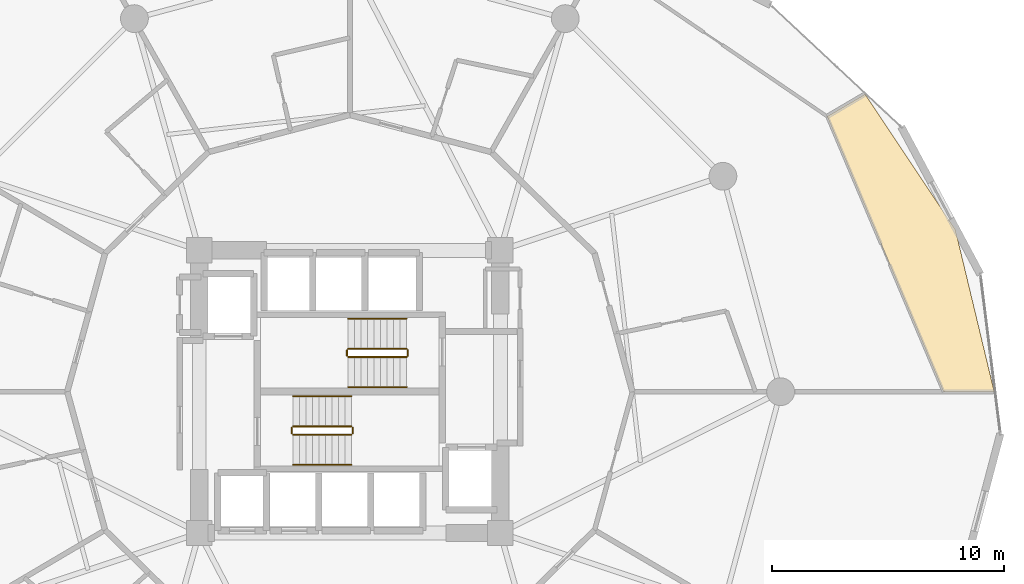
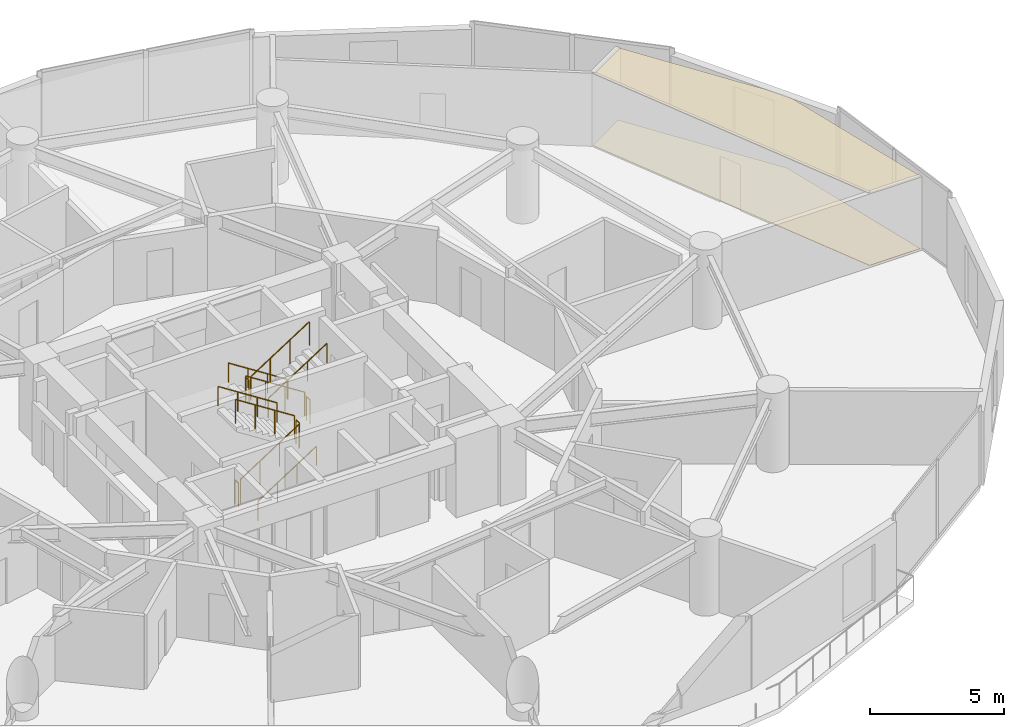
# One storey, part 25 of 26: 12 railings, 2 coverings.
"""IFC4 building model written with IfcOpenShell, lengths in metres."""

import ifcopenshell
import ifcopenshell.guid

model = None  # the IFC model being written
_history = None  # IfcOwnerHistory: only IFC2X3 demands one
_inside = {}  # id of a spatial element -> (the spatial element, [elements in it])
_under = {}  # id of a project, library or spatial element -> (it, [spatial elements below it])
_declared = {}  # id of a project -> (the project, [libraries it declares])
_typed = {}  # id of a type object -> (the type object, [elements of that type])
_made_of = {}  # id of a material, layer set ... -> (it, [elements and type objects made of it])


def new_model(schema):
    """Start an empty IFC model of exactly this schema.

    Asked for "IFC4X3", IfcOpenShell would pick the latest addendum, in which some entities
    have other attributes; the version numbers below select the first issue.
    IFC2X3 requires an IfcOwnerHistory on every rooted entity: one is made here for all.
    """
    global model, _history
    if schema == "IFC4X3":
        model = ifcopenshell.file(schema_version=(4, 3, 0, 0))
    else:
        model = ifcopenshell.file(schema=schema)
    _inside.clear()
    _under.clear()
    _declared.clear()
    _typed.clear()
    _made_of.clear()
    _history = None
    if model.schema == "IFC2X3":
        org = make("IfcOrganization", Name="unknown")
        user = make(
            "IfcPersonAndOrganization",
            ThePerson=make("IfcPerson", FamilyName="unknown"),
            TheOrganization=org,
        )
        app = make(
            "IfcApplication",
            ApplicationDeveloper=org,
            Version="unknown",
            ApplicationFullName="unknown",
            ApplicationIdentifier="unknown",
        )
        _history = make(
            "IfcOwnerHistory",
            OwningUser=user,
            OwningApplication=app,
            ChangeAction="ADDED",
            CreationDate=0,
        )
    return model


def make(cls, **values):
    """One entity of the class cls with the attributes given. An attribute that is None is left unset."""
    return model.create_entity(
        cls, **{name: value for name, value in values.items() if value is not None}
    )


def rooted(cls, **values):
    """An entity with a GlobalId (a new one), such as an element, a storey or a relation."""
    return make(cls, GlobalId=ifcopenshell.guid.new(), OwnerHistory=_history, **values)


def si_unit(unit_type, name, prefix=None):
    """IfcSIUnit, for example si_unit("LENGTHUNIT", "METRE", prefix="MILLI")."""
    return make("IfcSIUnit", UnitType=unit_type, Prefix=prefix, Name=name)


def assignment(units):
    """IfcUnitAssignment: the units of a project."""
    return None if units is None else make("IfcUnitAssignment", Units=units)


def point(xyz):
    """IfcCartesianPoint."""
    return None if xyz is None else make("IfcCartesianPoint", Coordinates=xyz)


def direction(xyz):
    """IfcDirection."""
    return None if xyz is None else make("IfcDirection", DirectionRatios=xyz)


def frame(location, z_axis=None, x_axis=None):
    """IfcAxis2Placement3D, a coordinate frame: its origin and axes. An axis left out is left unset."""
    return make(
        "IfcAxis2Placement3D",
        Location=point(location),
        Axis=direction(z_axis),
        RefDirection=direction(x_axis),
    )


def frame_2d(location, x_axis=None):
    """IfcAxis2Placement2D, a coordinate frame in the plane: its origin and x axis."""
    return make(
        "IfcAxis2Placement2D", Location=point(location), RefDirection=direction(x_axis)
    )


def origin():
    """The frame at (0, 0, 0) with its axes left unset."""
    return frame((0.0, 0.0, 0.0))


def origin_2d():
    """The frame at (0, 0) in the plane with its x axis left unset."""
    return frame_2d((0.0, 0.0))


def place(relative_to, where):
    """IfcLocalPlacement: puts the frame where relative to a parent placement (None: the world)."""
    return make(
        "IfcLocalPlacement", PlacementRelTo=relative_to, RelativePlacement=where
    )


def context(
    kind, dimensions, precision=None, world=None, true_north=None, identifier=None
):
    """IfcGeometricRepresentationContext, for example the 3D "Model" context."""
    return make(
        "IfcGeometricRepresentationContext",
        ContextIdentifier=identifier,
        ContextType=kind,
        CoordinateSpaceDimension=dimensions,
        Precision=precision,
        WorldCoordinateSystem=world,
        TrueNorth=true_north,
    )


def subcontext(parent, identifier, kind, view, scale=None):
    """IfcGeometricRepresentationSubContext, for example "Body" below "Model"."""
    return make(
        "IfcGeometricRepresentationSubContext",
        ContextIdentifier=identifier,
        ContextType=kind,
        ParentContext=parent,
        TargetScale=scale,
        TargetView=view,
    )


def project(units=None, contexts=None):
    """IfcProject with its units and contexts."""
    return rooted(
        "IfcProject",
        Name="project",
        RepresentationContexts=contexts,
        UnitsInContext=assignment(units),
    )


def spatial(cls, under=None, at=None, **own):
    """A site, building, storey or space (cls), placed at a placement, below another one or the project."""
    s = rooted(cls, ObjectPlacement=at, **own)
    if under is not None:
        _under.setdefault(under.id(), (under, []))[1].append(s)
    return s


def polyline(points):
    """IfcPolyline through the points."""
    return make("IfcPolyline", Points=[point(p) for p in points])


def profile(cls, at=None, kind="AREA", **sizes):
    """A parametric profile (cls). Its sizes go by their IFC names, for example OverallWidth=200.0."""
    return make(cls, ProfileType=kind, Position=at, **sizes)


def circle(**sizes):
    """IfcCircleProfileDef."""
    return profile("IfcCircleProfileDef", **sizes)


def outline(outer, holes=None, kind="AREA"):
    """IfcArbitraryClosedProfileDef: a profile drawn as a closed curve; with holes, ...WithVoids."""
    if holes is None:
        return make("IfcArbitraryClosedProfileDef", ProfileType=kind, OuterCurve=outer)
    return make(
        "IfcArbitraryProfileDefWithVoids",
        ProfileType=kind,
        OuterCurve=outer,
        InnerCurves=holes,
    )


def extrude(swept, where, along, depth):
    """IfcExtrudedAreaSolid: the profile swept, set in the frame where, extruded along a direction by depth."""
    return make(
        "IfcExtrudedAreaSolid",
        SweptArea=swept,
        Position=where,
        ExtrudedDirection=direction(along),
        Depth=depth,
    )


def shape(context_of_items, identifier, shape_type, items):
    """IfcShapeRepresentation: the items that make up one representation, for example the "Body"."""
    return make(
        "IfcShapeRepresentation",
        ContextOfItems=context_of_items,
        RepresentationIdentifier=identifier,
        RepresentationType=shape_type,
        Items=items,
    )


def material(Name=None, Category=None):
    """IfcMaterial."""
    return make("IfcMaterial", Name=Name, Category=Category)


def layer(
    of_material, thickness, ventilated=None, Name=None, Category=None, Priority=None
):
    """IfcMaterialLayer: one layer of a wall or slab, of a material (None: an air gap)."""
    return make(
        "IfcMaterialLayer",
        Material=of_material,
        LayerThickness=thickness,
        IsVentilated=ventilated,
        Name=Name,
        Category=Category,
        Priority=Priority,
    )


def layer_set(layers, Name=None):
    """IfcMaterialLayerSet."""
    return make("IfcMaterialLayerSet", MaterialLayers=layers, LayerSetName=Name)


def made_of(thing, what):
    """Note that an element or type object is made of a material, layer set ...; save() writes the relation."""
    if what is not None:
        _made_of.setdefault(what.id(), (what, []))[1].append(thing)
    return thing


def type_object(cls, material=None, **own):
    """A type object (cls), such as IfcWallType, which elements share."""
    return made_of(rooted(cls, **own), material)


def element(
    cls,
    number,
    at=None,
    inside=None,
    cuts=None,
    type_object=None,
    material=None,
    context=None,
    identifier="Body",
    shape_type=None,
    held_by="IfcProductDefinitionShape",
    body=None,
    shapes=None,
    **own,
):
    """One element of the class cls, such as IfcWall. Its Tag is "e" and its number.

    at: its placement. inside: the storey or other place that contains it. cuts: it is an
    opening in that element (IfcRelVoidsElement). A single representation is given by context,
    identifier, shape_type and body (its items); several are given by shapes. held_by: the class
    of the entity that holds the representations. save() writes the other relations.
    """
    e = rooted(cls, Tag="e%d" % number, ObjectPlacement=at, **own)
    if body is not None:
        shapes = [shape(context, identifier, shape_type, body)]
    if shapes is not None:
        e.Representation = make(held_by, Representations=shapes)
    if inside is not None:
        _inside.setdefault(inside.id(), (inside, []))[1].append(e)
    if cuts is not None:
        rooted(
            "IfcRelVoidsElement", RelatingBuildingElement=cuts, RelatedOpeningElement=e
        )
    if type_object is not None:
        _typed.setdefault(type_object.id(), (type_object, []))[1].append(e)
    return made_of(e, material)


def aggregate(whole, parts):
    """IfcRelAggregates: a whole, such as a stair, and the parts it consists of."""
    return rooted("IfcRelAggregates", RelatingObject=whole, RelatedObjects=parts)


def save(model, path):
    """Write the relations noted so far, then the file.

    IfcRelAggregates (storeys below a building ...), IfcRelContainedInSpatialStructure (elements
    in a storey), IfcRelDefinesByType, IfcRelAssociatesMaterial and IfcRelDeclares: one each for
    every whole, place, type object, material and project.
    """
    for whole, parts in _under.values():
        aggregate(whole, parts)
    for where, things in _inside.values():
        rooted(
            "IfcRelContainedInSpatialStructure",
            RelatedElements=things,
            RelatingStructure=where,
        )
    for kind, things in _typed.values():
        rooted("IfcRelDefinesByType", RelatedObjects=things, RelatingType=kind)
    for what, things in _made_of.values():
        rooted("IfcRelAssociatesMaterial", RelatedObjects=things, RelatingMaterial=what)
    for by, libraries in _declared.values():
        rooted("IfcRelDeclares", RelatingContext=by, RelatedDefinitions=libraries)
    model.write(path)


model = new_model("IFC4")

# Units and contexts
model_context = context("Model", 3, precision=1e-05, world=origin(), true_north=direction((0.0, 1.0)))
body_context = subcontext(model_context, "Body", "Model", "MODEL_VIEW")
ifc_project = project(units=[si_unit("LENGTHUNIT", "METRE"), si_unit("AREAUNIT", "SQUARE_METRE"), si_unit("VOLUMEUNIT", "CUBIC_METRE"), si_unit("PLANEANGLEUNIT", "RADIAN"), si_unit("MASSUNIT", "GRAM", prefix="KILO")], contexts=[model_context])

# Site, building, storey
site_placement = place(None, origin())
site = spatial("IfcSite", under=ifc_project, at=site_placement, CompositionType="ELEMENT")
building_placement = place(site_placement, origin())
building = spatial("IfcBuilding", under=site, at=building_placement, Name="Solvirekh Grand Hotel", CompositionType="ELEMENT")
storey_placement = place(building_placement, frame((0.0, 0.0, 32.0)))
storey = spatial("IfcBuildingStorey", under=building, at=storey_placement, Name="L06", CompositionType="ELEMENT", Elevation=32.0)

# Coverings
ifc_material_1 = material(Name="Acoustic Mineral Ceiling Tile")
ifc_layer_1 = layer(ifc_material_1, 0.02490234375)
ifc_layer_set_1 = layer_set([ifc_layer_1], Name="Acoustic Mineral Ceiling Tile")
covering_type_1 = type_object("IfcCoveringType", Name="Cov_Ceiling_Acoustic", PredefinedType="CEILING", material=ifc_layer_set_1)
covering_1_placement = place(storey_placement, frame((0.0, 0.0, 3.2900390625)))
element("IfcCovering", 1, at=covering_1_placement, inside=storey, type_object=covering_type_1, Name="L06 Executive Suite 0801 Master Bedroom acoustic ceiling", PredefinedType="CEILING", context=body_context, shape_type="SweptSolid", body=[
    extrude(outline(polyline([(27.822021484375, 0.0), (26.14208984375, 7.0048828125), (22.248046875, 12.844970703125), (20.613037109375, 11.883056640625), (25.635009765625, 0.0), (27.822021484375, 0.0)])), origin(), (0.0, 0.0, 1.0), 0.01806640625),
])
ifc_material_2 = material(Name="Porcelain Stoneware Flooring", Category="masonry")
ifc_layer_2 = layer(ifc_material_2, 0.030029296875)
ifc_layer_set_2 = layer_set([ifc_layer_2], Name="Porcelain Stoneware Flooring")
covering_type_2 = type_object("IfcCoveringType", Name="Cov_Floor_Stone", PredefinedType="FLOORING", material=ifc_layer_set_2)
covering_2_placement = place(storey_placement, origin())
element("IfcCovering", 2, at=covering_2_placement, inside=storey, type_object=covering_type_2, Name="L06 Executive Suite 0801 Master Bedroom polished granite flooring", PredefinedType="FLOORING", context=body_context, shape_type="SweptSolid", body=[
    extrude(outline(polyline([(27.822021484375, 0.0), (26.14208984375, 7.0048828125), (22.248046875, 12.844970703125), (20.613037109375, 11.883056640625), (25.635009765625, 0.0), (27.822021484375, 0.0)])), origin(), (0.0, 0.0, 1.0), 0.02001953125),
])

# Railings
ifc_material_3 = material(Name="Steel S355", Category="steel")
railing_type_1 = type_object("IfcRailingType", Name="Guard_Stair_1100", PredefinedType="GUARDRAIL", material=ifc_material_3)
railing_1_placement = place(storey_placement, frame((-2.449951171875, -1.85009765625, 0.179931640625)))
element("IfcRailing", 3, at=railing_1_placement, inside=storey, type_object=railing_type_1, Name="L06 ST-1 stair guard 1", PredefinedType="GUARDRAIL", context=body_context, shape_type="SweptSolid", body=[
    extrude(circle(Radius=0.02392578125, at=origin_2d()), frame((0.0, 0.0, 1.076171875), z_axis=(0.841162588446, 0.0, 0.540782303519), x_axis=(0.0, 1.0, 0.0)), (0.0, 0.0, 1.0), 2.995849609375),
    extrude(circle(Radius=0.02099609375, at=origin_2d()), origin(), (0.0, 0.0, 1.0), 1.052001953125),
    extrude(circle(Radius=0.02099609375, at=origin_2d()), frame((0.840087890625, 0.0, 0.5400390625)), (0.0, 0.0, 1.0), 1.052001953125),
    extrude(circle(Radius=0.02099609375, at=origin_2d()), frame((1.679931640625, 0.0, 1.080078125)), (0.0, 0.0, 1.0), 1.052001953125),
    extrude(circle(Radius=0.02099609375, at=origin_2d()), frame((2.52001953125, 0.0, 1.6201171875)), (0.0, 0.0, 1.0), 1.052001953125),
])
railing_2_placement = place(storey_placement, frame((0.1201171875, -1.800048828125, 1.800048828125)))
element("IfcRailing", 4, at=railing_2_placement, inside=storey, type_object=railing_type_1, Name="L06 ST-1 stair guard 2", PredefinedType="GUARDRAIL", context=body_context, shape_type="SweptSolid", body=[
    extrude(circle(Radius=0.02392578125, at=origin_2d()), frame((0.0, 0.0, 1.076171875), z_axis=(0.0, 1.0, 0.0), x_axis=(-1.0, 0.0, 0.0)), (0.0, 0.0, 1.0), 0.25),
    extrude(circle(Radius=0.02099609375, at=origin_2d()), origin(), (0.0, 0.0, 1.0), 1.052001953125),
    extrude(circle(Radius=0.02099609375, at=origin_2d()), frame((0.0, 0.25, 0.0)), (0.0, 0.0, 1.0), 1.052001953125),
])
railing_3_placement = place(storey_placement, frame((0.070068359375, -1.5, 1.97998046875)))
element("IfcRailing", 5, at=railing_3_placement, inside=storey, type_object=railing_type_1, Name="L06 ST-1 stair guard 3", PredefinedType="GUARDRAIL", context=body_context, shape_type="SweptSolid", body=[
    extrude(circle(Radius=0.02392578125, at=origin_2d()), frame((0.0, 0.0, 1.076171875), z_axis=(-0.841162588446, 0.0, 0.540782303519), x_axis=(0.0, -1.0, 0.0)), (0.0, 0.0, 1.0), 2.995849609375),
    extrude(circle(Radius=0.02099609375, at=origin_2d()), origin(), (0.0, 0.0, 1.0), 1.052001953125),
    extrude(circle(Radius=0.02099609375, at=origin_2d()), frame((-0.840087890625, 0.0, 0.5400390625)), (0.0, 0.0, 1.0), 1.052001953125),
    extrude(circle(Radius=0.02099609375, at=origin_2d()), frame((-1.679931640625, 0.0, 1.080078125)), (0.0, 0.0, 1.0), 1.052001953125),
    extrude(circle(Radius=0.02099609375, at=origin_2d()), frame((-2.52001953125, 0.0, 1.6201171875)), (0.0, 0.0, 1.0), 1.052001953125),
])
railing_4_placement = place(storey_placement, frame((-2.5, -1.800048828125, 0.0)))
element("IfcRailing", 6, at=railing_4_placement, inside=storey, type_object=railing_type_1, Name="L06 ST-1 stair guard 4", PredefinedType="GUARDRAIL", context=body_context, shape_type="SweptSolid", body=[
    extrude(circle(Radius=0.02392578125, at=origin_2d()), frame((0.0, 0.0, 1.076171875), z_axis=(0.0, 1.0, 0.0), x_axis=(-1.0, 0.0, 0.0)), (0.0, 0.0, 1.0), 0.25),
    extrude(circle(Radius=0.02099609375, at=origin_2d()), origin(), (0.0, 0.0, 1.0), 1.052001953125),
    extrude(circle(Radius=0.02099609375, at=origin_2d()), frame((0.0, 0.25, 0.0)), (0.0, 0.0, 1.0), 1.052001953125),
])
railing_5_placement = place(storey_placement, frame((2.449951171875, 1.85009765625, 0.179931640625)))
element("IfcRailing", 7, at=railing_5_placement, inside=storey, type_object=railing_type_1, Name="L06 ST-2 stair guard 1", PredefinedType="GUARDRAIL", context=body_context, shape_type="SweptSolid", body=[
    extrude(circle(Radius=0.02392578125, at=origin_2d()), frame((0.0, 0.0, 1.076171875), z_axis=(-0.841162588446, 0.0, 0.540782303519), x_axis=(0.0, -1.0, 0.0)), (0.0, 0.0, 1.0), 2.995849609375),
    extrude(circle(Radius=0.02099609375, at=origin_2d()), origin(), (0.0, 0.0, 1.0), 1.052001953125),
    extrude(circle(Radius=0.02099609375, at=origin_2d()), frame((-0.840087890625, 0.0, 0.5400390625)), (0.0, 0.0, 1.0), 1.052001953125),
    extrude(circle(Radius=0.02099609375, at=origin_2d()), frame((-1.679931640625, 0.0, 1.080078125)), (0.0, 0.0, 1.0), 1.052001953125),
    extrude(circle(Radius=0.02099609375, at=origin_2d()), frame((-2.52001953125, 0.0, 1.6201171875)), (0.0, 0.0, 1.0), 1.052001953125),
])
railing_6_placement = place(storey_placement, frame((-0.1201171875, 1.800048828125, 1.800048828125)))
element("IfcRailing", 8, at=railing_6_placement, inside=storey, type_object=railing_type_1, Name="L06 ST-2 stair guard 2", PredefinedType="GUARDRAIL", context=body_context, shape_type="SweptSolid", body=[
    extrude(circle(Radius=0.02392578125, at=origin_2d()), frame((0.0, 0.0, 1.076171875), z_axis=(0.0, -1.0, 0.0), x_axis=(1.0, 0.0, 0.0)), (0.0, 0.0, 1.0), 0.25),
    extrude(circle(Radius=0.02099609375, at=origin_2d()), origin(), (0.0, 0.0, 1.0), 1.052001953125),
    extrude(circle(Radius=0.02099609375, at=origin_2d()), frame((0.0, -0.25, 0.0)), (0.0, 0.0, 1.0), 1.052001953125),
])
railing_7_placement = place(storey_placement, frame((-0.070068359375, 1.5, 1.97998046875)))
element("IfcRailing", 9, at=railing_7_placement, inside=storey, type_object=railing_type_1, Name="L06 ST-2 stair guard 3", PredefinedType="GUARDRAIL", context=body_context, shape_type="SweptSolid", body=[
    extrude(circle(Radius=0.02392578125, at=origin_2d()), frame((0.0, 0.0, 1.076171875), z_axis=(0.841162588446, 0.0, 0.540782303519), x_axis=(0.0, 1.0, 0.0)), (0.0, 0.0, 1.0), 2.995849609375),
    extrude(circle(Radius=0.02099609375, at=origin_2d()), origin(), (0.0, 0.0, 1.0), 1.052001953125),
    extrude(circle(Radius=0.02099609375, at=origin_2d()), frame((0.840087890625, 0.0, 0.5400390625)), (0.0, 0.0, 1.0), 1.052001953125),
    extrude(circle(Radius=0.02099609375, at=origin_2d()), frame((1.679931640625, 0.0, 1.080078125)), (0.0, 0.0, 1.0), 1.052001953125),
    extrude(circle(Radius=0.02099609375, at=origin_2d()), frame((2.52001953125, 0.0, 1.6201171875)), (0.0, 0.0, 1.0), 1.052001953125),
])
railing_8_placement = place(storey_placement, frame((2.5, 1.800048828125, 0.0)))
element("IfcRailing", 10, at=railing_8_placement, inside=storey, type_object=railing_type_1, Name="L06 ST-2 stair guard 4", PredefinedType="GUARDRAIL", context=body_context, shape_type="SweptSolid", body=[
    extrude(circle(Radius=0.02392578125, at=origin_2d()), frame((0.0, 0.0, 1.076171875), z_axis=(0.0, -1.0, 0.0), x_axis=(1.0, 0.0, 0.0)), (0.0, 0.0, 1.0), 0.25),
    extrude(circle(Radius=0.02099609375, at=origin_2d()), origin(), (0.0, 0.0, 1.0), 1.052001953125),
    extrude(circle(Radius=0.02099609375, at=origin_2d()), frame((0.0, -0.25, 0.0)), (0.0, 0.0, 1.0), 1.052001953125),
])
ifc_material_4 = material(Name="Anodized Bronze Aluminium 6063-T6", Category="aluminium")
railing_type_2 = type_object("IfcRailingType", Name="Handrail_Wall_900", PredefinedType="HANDRAIL", material=ifc_material_4)
railing_9_placement = place(storey_placement, frame((-2.449951171875, -3.14990234375, 0.179931640625)))
element("IfcRailing", 11, at=railing_9_placement, inside=storey, type_object=railing_type_2, Name="L06 ST-1 stair handrail 1", PredefinedType="HANDRAIL", context=body_context, shape_type="SweptSolid", body=[
    extrude(circle(Radius=0.02392578125, at=origin_2d()), frame((0.0, 0.0, 0.8759765625), z_axis=(0.841162588446, 0.0, 0.540782303519), x_axis=(0.0, 1.0, 0.0)), (0.0, 0.0, 1.0), 2.995849609375),
    extrude(circle(Radius=0.02099609375, at=origin_2d()), origin(), (0.0, 0.0, 1.0), 0.851806640625),
    extrude(circle(Radius=0.02099609375, at=origin_2d()), frame((0.840087890625, 0.0, 0.5400390625)), (0.0, 0.0, 1.0), 0.851806640625),
    extrude(circle(Radius=0.02099609375, at=origin_2d()), frame((1.679931640625, 0.0, 1.080078125)), (0.0, 0.0, 1.0), 0.851806640625),
    extrude(circle(Radius=0.02099609375, at=origin_2d()), frame((2.52001953125, 0.0, 1.6201171875)), (0.0, 0.0, 1.0), 0.851806640625),
])
for number, where, name in (
    (12, (0.070068359375, -0.199951171875, 1.97998046875), "L06 ST-1 stair handrail 2"),
    (13, (2.449951171875, 3.14990234375, 0.179931640625), "L06 ST-2 stair handrail 1"),
):
    element("IfcRailing", number, at=place(storey_placement, frame(where)), inside=storey, type_object=railing_type_2, Name=name, PredefinedType="HANDRAIL", context=body_context, shape_type="SweptSolid", body=[
        extrude(circle(Radius=0.02392578125, at=origin_2d()), frame((0.0, 0.0, 0.8759765625), z_axis=(-0.841162588446, 0.0, 0.540782303519), x_axis=(0.0, -1.0, 0.0)), (0.0, 0.0, 1.0), 2.995849609375),
        extrude(circle(Radius=0.02099609375, at=origin_2d()), origin(), (0.0, 0.0, 1.0), 0.851806640625),
        extrude(circle(Radius=0.02099609375, at=origin_2d()), frame((-0.840087890625, 0.0, 0.5400390625)), (0.0, 0.0, 1.0), 0.851806640625),
        extrude(circle(Radius=0.02099609375, at=origin_2d()), frame((-1.679931640625, 0.0, 1.080078125)), (0.0, 0.0, 1.0), 0.851806640625),
        extrude(circle(Radius=0.02099609375, at=origin_2d()), frame((-2.52001953125, 0.0, 1.6201171875)), (0.0, 0.0, 1.0), 0.851806640625),
    ])
railing_10_placement = place(storey_placement, frame((-0.070068359375, 0.199951171875, 1.97998046875)))
element("IfcRailing", 14, at=railing_10_placement, inside=storey, type_object=railing_type_2, Name="L06 ST-2 stair handrail 2", PredefinedType="HANDRAIL", context=body_context, shape_type="SweptSolid", body=[
    extrude(circle(Radius=0.02392578125, at=origin_2d()), frame((0.0, 0.0, 0.8759765625), z_axis=(0.841162588446, 0.0, 0.540782303519), x_axis=(0.0, 1.0, 0.0)), (0.0, 0.0, 1.0), 2.995849609375),
    extrude(circle(Radius=0.02099609375, at=origin_2d()), origin(), (0.0, 0.0, 1.0), 0.851806640625),
    extrude(circle(Radius=0.02099609375, at=origin_2d()), frame((0.840087890625, 0.0, 0.5400390625)), (0.0, 0.0, 1.0), 0.851806640625),
    extrude(circle(Radius=0.02099609375, at=origin_2d()), frame((1.679931640625, 0.0, 1.080078125)), (0.0, 0.0, 1.0), 0.851806640625),
    extrude(circle(Radius=0.02099609375, at=origin_2d()), frame((2.52001953125, 0.0, 1.6201171875)), (0.0, 0.0, 1.0), 0.851806640625),
])

save(model, "model.ifc")
